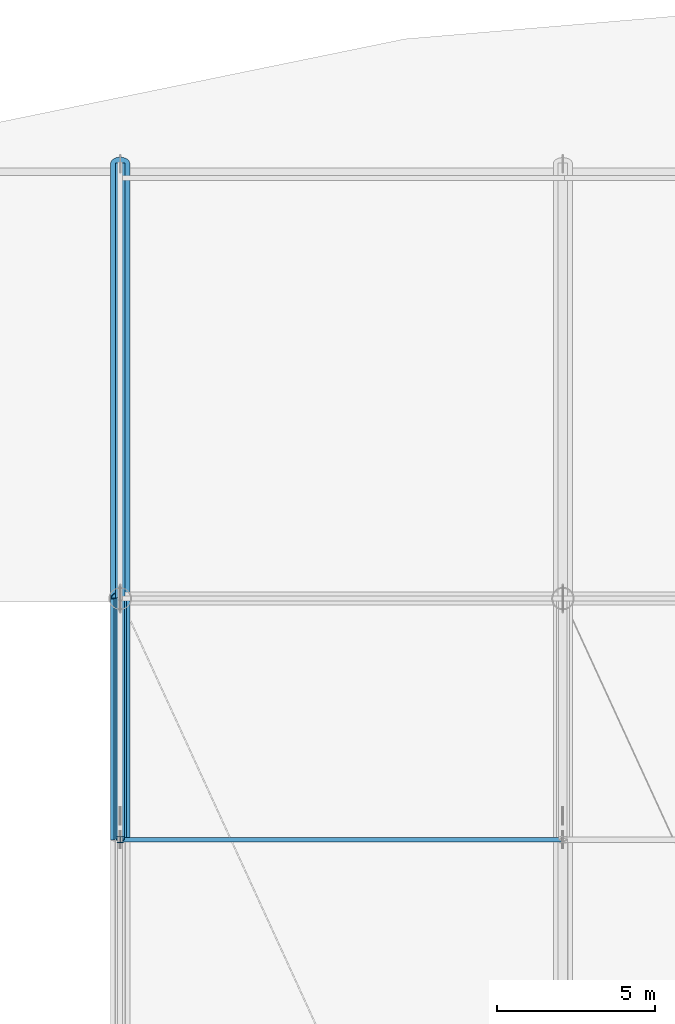
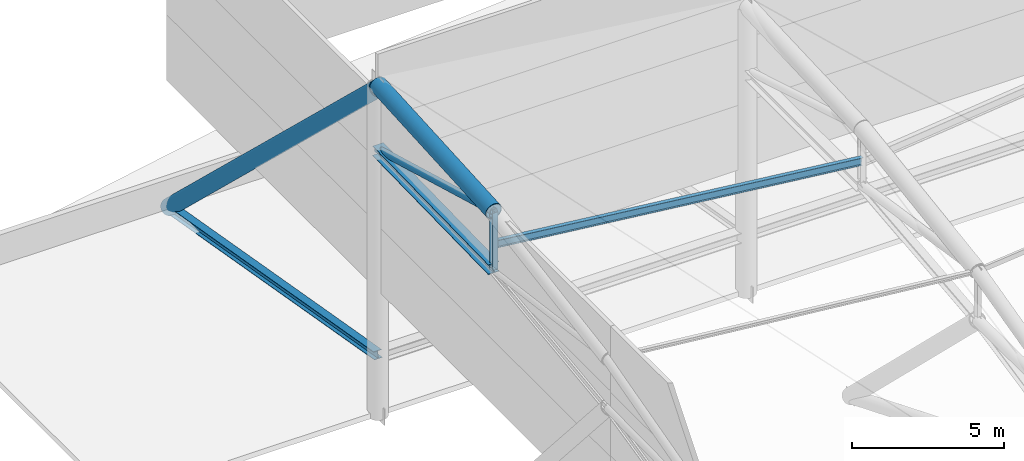
# One storey, part 58 of 113: 7 members.
"""IFC4 building model written with IfcOpenShell, lengths in metres."""

import ifcopenshell
import ifcopenshell.guid

model = None  # the IFC model being written
_history = None  # IfcOwnerHistory: only IFC2X3 demands one
_inside = {}  # id of a spatial element -> (the spatial element, [elements in it])
_under = {}  # id of a project, library or spatial element -> (it, [spatial elements below it])
_declared = {}  # id of a project -> (the project, [libraries it declares])
_typed = {}  # id of a type object -> (the type object, [elements of that type])
_made_of = {}  # id of a material, layer set ... -> (it, [elements and type objects made of it])


def new_model(schema):
    """Start an empty IFC model of exactly this schema.

    Asked for "IFC4X3", IfcOpenShell would pick the latest addendum, in which some entities
    have other attributes; the version numbers below select the first issue.
    IFC2X3 requires an IfcOwnerHistory on every rooted entity: one is made here for all.
    """
    global model, _history
    if schema == "IFC4X3":
        model = ifcopenshell.file(schema_version=(4, 3, 0, 0))
    else:
        model = ifcopenshell.file(schema=schema)
    _inside.clear()
    _under.clear()
    _declared.clear()
    _typed.clear()
    _made_of.clear()
    _history = None
    if model.schema == "IFC2X3":
        org = make("IfcOrganization", Name="unknown")
        user = make(
            "IfcPersonAndOrganization",
            ThePerson=make("IfcPerson", FamilyName="unknown"),
            TheOrganization=org,
        )
        app = make(
            "IfcApplication",
            ApplicationDeveloper=org,
            Version="unknown",
            ApplicationFullName="unknown",
            ApplicationIdentifier="unknown",
        )
        _history = make(
            "IfcOwnerHistory",
            OwningUser=user,
            OwningApplication=app,
            ChangeAction="ADDED",
            CreationDate=0,
        )
    return model


def make(cls, **values):
    """One entity of the class cls with the attributes given. An attribute that is None is left unset."""
    return model.create_entity(
        cls, **{name: value for name, value in values.items() if value is not None}
    )


def rooted(cls, **values):
    """An entity with a GlobalId (a new one), such as an element, a storey or a relation."""
    return make(cls, GlobalId=ifcopenshell.guid.new(), OwnerHistory=_history, **values)


def si_unit(unit_type, name, prefix=None):
    """IfcSIUnit, for example si_unit("LENGTHUNIT", "METRE", prefix="MILLI")."""
    return make("IfcSIUnit", UnitType=unit_type, Prefix=prefix, Name=name)


def assignment(units):
    """IfcUnitAssignment: the units of a project."""
    return None if units is None else make("IfcUnitAssignment", Units=units)


def point(xyz):
    """IfcCartesianPoint."""
    return None if xyz is None else make("IfcCartesianPoint", Coordinates=xyz)


def direction(xyz):
    """IfcDirection."""
    return None if xyz is None else make("IfcDirection", DirectionRatios=xyz)


def frame(location, z_axis=None, x_axis=None):
    """IfcAxis2Placement3D, a coordinate frame: its origin and axes. An axis left out is left unset."""
    return make(
        "IfcAxis2Placement3D",
        Location=point(location),
        Axis=direction(z_axis),
        RefDirection=direction(x_axis),
    )


def frame_2d(location, x_axis=None):
    """IfcAxis2Placement2D, a coordinate frame in the plane: its origin and x axis."""
    return make(
        "IfcAxis2Placement2D", Location=point(location), RefDirection=direction(x_axis)
    )


def origin():
    """The frame at (0, 0, 0) with its axes left unset."""
    return frame((0.0, 0.0, 0.0))


def origin_2d():
    """The frame at (0, 0) in the plane with its x axis left unset."""
    return frame_2d((0.0, 0.0))


def place(relative_to, where):
    """IfcLocalPlacement: puts the frame where relative to a parent placement (None: the world)."""
    return make(
        "IfcLocalPlacement", PlacementRelTo=relative_to, RelativePlacement=where
    )


def context(
    kind, dimensions, precision=None, world=None, true_north=None, identifier=None
):
    """IfcGeometricRepresentationContext, for example the 3D "Model" context."""
    return make(
        "IfcGeometricRepresentationContext",
        ContextIdentifier=identifier,
        ContextType=kind,
        CoordinateSpaceDimension=dimensions,
        Precision=precision,
        WorldCoordinateSystem=world,
        TrueNorth=true_north,
    )


def subcontext(parent, identifier, kind, view, scale=None):
    """IfcGeometricRepresentationSubContext, for example "Body" below "Model"."""
    return make(
        "IfcGeometricRepresentationSubContext",
        ContextIdentifier=identifier,
        ContextType=kind,
        ParentContext=parent,
        TargetScale=scale,
        TargetView=view,
    )


def project(units=None, contexts=None):
    """IfcProject with its units and contexts."""
    return rooted(
        "IfcProject",
        Name="project",
        RepresentationContexts=contexts,
        UnitsInContext=assignment(units),
    )


def spatial(cls, under=None, at=None, **own):
    """A site, building, storey or space (cls), placed at a placement, below another one or the project."""
    s = rooted(cls, ObjectPlacement=at, **own)
    if under is not None:
        _under.setdefault(under.id(), (under, []))[1].append(s)
    return s


def profile(cls, at=None, kind="AREA", **sizes):
    """A parametric profile (cls). Its sizes go by their IFC names, for example OverallWidth=200.0."""
    return make(cls, ProfileType=kind, Position=at, **sizes)


def hollow_circle(**sizes):
    """IfcCircleHollowProfileDef."""
    return profile("IfcCircleHollowProfileDef", **sizes)


def i_section(**sizes):
    """IfcIShapeProfileDef."""
    return profile("IfcIShapeProfileDef", **sizes)


def extrude(swept, where, along, depth):
    """IfcExtrudedAreaSolid: the profile swept, set in the frame where, extruded along a direction by depth."""
    return make(
        "IfcExtrudedAreaSolid",
        SweptArea=swept,
        Position=where,
        ExtrudedDirection=direction(along),
        Depth=depth,
    )


def shape(context_of_items, identifier, shape_type, items):
    """IfcShapeRepresentation: the items that make up one representation, for example the "Body"."""
    return make(
        "IfcShapeRepresentation",
        ContextOfItems=context_of_items,
        RepresentationIdentifier=identifier,
        RepresentationType=shape_type,
        Items=items,
    )


def material(Name=None, Category=None):
    """IfcMaterial."""
    return make("IfcMaterial", Name=Name, Category=Category)


def material_profile(
    of_material, cross_section, Name=None, Category=None, Priority=None
):
    """IfcMaterialProfile: a cross section and its material."""
    return make(
        "IfcMaterialProfile",
        Name=Name,
        Material=of_material,
        Profile=cross_section,
        Priority=Priority,
        Category=Category,
    )


def profile_set(profiles, Name=None, composite=None):
    """IfcMaterialProfileSet."""
    return make(
        "IfcMaterialProfileSet",
        Name=Name,
        MaterialProfiles=profiles,
        CompositeProfile=composite,
    )


def made_of(thing, what):
    """Note that an element or type object is made of a material, layer set ...; save() writes the relation."""
    if what is not None:
        _made_of.setdefault(what.id(), (what, []))[1].append(thing)
    return thing


def type_object(cls, material=None, **own):
    """A type object (cls), such as IfcWallType, which elements share."""
    return made_of(rooted(cls, **own), material)


def element(
    cls,
    number,
    at=None,
    inside=None,
    cuts=None,
    type_object=None,
    material=None,
    context=None,
    identifier="Body",
    shape_type=None,
    held_by="IfcProductDefinitionShape",
    body=None,
    shapes=None,
    **own,
):
    """One element of the class cls, such as IfcWall. Its Tag is "e" and its number.

    at: its placement. inside: the storey or other place that contains it. cuts: it is an
    opening in that element (IfcRelVoidsElement). A single representation is given by context,
    identifier, shape_type and body (its items); several are given by shapes. held_by: the class
    of the entity that holds the representations. save() writes the other relations.
    """
    e = rooted(cls, Tag="e%d" % number, ObjectPlacement=at, **own)
    if body is not None:
        shapes = [shape(context, identifier, shape_type, body)]
    if shapes is not None:
        e.Representation = make(held_by, Representations=shapes)
    if inside is not None:
        _inside.setdefault(inside.id(), (inside, []))[1].append(e)
    if cuts is not None:
        rooted(
            "IfcRelVoidsElement", RelatingBuildingElement=cuts, RelatedOpeningElement=e
        )
    if type_object is not None:
        _typed.setdefault(type_object.id(), (type_object, []))[1].append(e)
    return made_of(e, material)


def aggregate(whole, parts):
    """IfcRelAggregates: a whole, such as a stair, and the parts it consists of."""
    return rooted("IfcRelAggregates", RelatingObject=whole, RelatedObjects=parts)


def save(model, path):
    """Write the relations noted so far, then the file.

    IfcRelAggregates (storeys below a building ...), IfcRelContainedInSpatialStructure (elements
    in a storey), IfcRelDefinesByType, IfcRelAssociatesMaterial and IfcRelDeclares: one each for
    every whole, place, type object, material and project.
    """
    for whole, parts in _under.values():
        aggregate(whole, parts)
    for where, things in _inside.values():
        rooted(
            "IfcRelContainedInSpatialStructure",
            RelatedElements=things,
            RelatingStructure=where,
        )
    for kind, things in _typed.values():
        rooted("IfcRelDefinesByType", RelatedObjects=things, RelatingType=kind)
    for what, things in _made_of.values():
        rooted("IfcRelAssociatesMaterial", RelatedObjects=things, RelatingMaterial=what)
    for by, libraries in _declared.values():
        rooted("IfcRelDeclares", RelatingContext=by, RelatedDefinitions=libraries)
    model.write(path)


model = new_model("IFC4")

# Units and contexts
model_context = context("Model", 3, precision=1e-05, world=origin(), true_north=direction((0.0, 1.0)))
body_context = subcontext(model_context, "Body", "Model", "MODEL_VIEW")
ifc_project = project(units=[si_unit("LENGTHUNIT", "METRE"), si_unit("AREAUNIT", "SQUARE_METRE"), si_unit("VOLUMEUNIT", "CUBIC_METRE"), si_unit("PLANEANGLEUNIT", "RADIAN"), si_unit("MASSUNIT", "GRAM", prefix="KILO")], contexts=[model_context])

# Site, building, storey
site_placement = place(None, origin())
site = spatial("IfcSite", under=ifc_project, at=site_placement, CompositionType="ELEMENT")
building_placement = place(site_placement, origin())
building = spatial("IfcBuilding", under=site, at=building_placement, Name="Linyun Crest Stadium", CompositionType="ELEMENT")
storey_placement = place(building_placement, frame((0.0, 0.0, 26.39990234375)))
storey = spatial("IfcBuildingStorey", under=building, at=storey_placement, Name="L06", CompositionType="ELEMENT", Elevation=26.39990234375)

# Members
ifc_material_1 = material(Name="Steel Q355B", Category="steel")
ifc_material_profile_1 = material_profile(ifc_material_1, i_section(OverallWidth=0.14990234375, OverallDepth=0.300048828125, WebThickness=0.007080078125, FlangeThickness=0.009033203125, at=origin_2d()), Name="HN 300x150")
ifc_profile_set_1 = profile_set([ifc_material_profile_1], Name="Steel Q355B")
member_type_1 = type_object("IfcMemberType", Name="PR01", PredefinedType="PURLIN", material=ifc_profile_set_1)
member_1_placement = place(storey_placement, frame((-28.0, 83.875, 11.26611328125), z_axis=(0.993911393059, 0.0, -0.110182315947), x_axis=(0.0, 1.0, 0.0)))
element("IfcMember", 1, at=member_1_placement, inside=storey, type_object=member_type_1, Name="Roof canopy purlin PR01 V3 456", PredefinedType="PURLIN", context=body_context, shape_type="SweptSolid", body=[
    extrude(i_section(OverallWidth=0.14990234375, OverallDepth=0.300048828125, WebThickness=0.007080078125, FlangeThickness=0.009033203125, at=origin_2d()), origin(), (0.0, 0.0, 1.0), 14.085693359375),
])
ifc_material_2 = material(Name="Steel Q420C", Category="steel")
ifc_material_profile_2 = material_profile(ifc_material_2, hollow_circle(Radius=0.304931640625, WallThickness=0.030029296875, at=origin_2d()), Name="CHS 610x30")
ifc_profile_set_2 = profile_set([ifc_material_profile_2], Name="Steel Q420C")
member_type_2 = type_object("IfcMemberType", Name="TC02", PredefinedType="CHORD", material=ifc_profile_set_2)
member_2_placement = place(storey_placement, frame((-28.0, 91.5, 12.900146484375), z_axis=(0.0, 0.723618597883, -0.690200061429), x_axis=(-1.0, 0.0, 0.0)))
element("IfcMember", 2, at=member_2_placement, inside=storey, type_object=member_type_2, Name="Roof truss back-stay chord TC02 V3 361", PredefinedType="CHORD", context=body_context, shape_type="SweptSolid", body=[
    extrude(hollow_circle(Radius=0.304931640625, WallThickness=0.030029296875, at=origin_2d()), origin(), (0.0, 0.0, 1.0), 19.001708984375),
])
member_3_placement = place(storey_placement, frame((-28.0, 91.5, 13.050048828125), z_axis=(0.0, -0.998074401863, -0.062028125449), x_axis=(1.0, 0.0, 0.0)))
element("IfcMember", 3, at=member_3_placement, inside=storey, type_object=member_type_2, Name="Roof truss top chord TC02 V3 363", PredefinedType="CHORD", context=body_context, shape_type="SweptSolid", body=[
    extrude(hollow_circle(Radius=0.304931640625, WallThickness=0.030029296875, at=origin_2d()), origin(), (0.0, 0.0, 1.0), 7.6396484375),
])
ifc_material_3 = material(Name="Steel Q355C", Category="steel")
ifc_material_profile_3 = material_profile(ifc_material_3, i_section(OverallWidth=0.300048828125, OverallDepth=0.300048828125, WebThickness=0.010009765625, FlangeThickness=0.014892578125, at=origin_2d()), Name="HW 300x300")
ifc_profile_set_3 = profile_set([ifc_material_profile_3], Name="Steel Q355C")
member_type_3 = type_object("IfcMemberType", Name="TC03", PredefinedType="CHORD", material=ifc_profile_set_3)
member_4_placement = place(storey_placement, frame((-28.0, 91.5, 2.18505859375), z_axis=(0.0, 0.985107588667, -0.171939055337), x_axis=(-1.0, 0.0, 0.0)))
element("IfcMember", 4, at=member_4_placement, inside=storey, type_object=member_type_3, Name="Roof truss lower back-span chord TC03 V3 362", PredefinedType="CHORD", context=body_context, shape_type="SweptSolid", body=[
    extrude(i_section(OverallWidth=0.300048828125, OverallDepth=0.300048828125, WebThickness=0.010009765625, FlangeThickness=0.014892578125, at=origin_2d()), origin(), (0.0, 0.0, 1.0), 13.957763671875),
])
ifc_material_4 = material(Name="Steel Q420C", Category="steel")
ifc_material_profile_4 = material_profile(ifc_material_4, i_section(OverallWidth=0.407958984375, OverallDepth=0.39990234375, WebThickness=0.02099609375, FlangeThickness=0.02099609375, at=origin_2d()), Name="HW 400x408")
ifc_profile_set_4 = profile_set([ifc_material_profile_4], Name="Steel Q420C")
member_type_4 = type_object("IfcMemberType", Name="TC04", PredefinedType="CHORD", material=ifc_profile_set_4)
member_5_placement = place(storey_placement, frame((-28.0, 91.5, 10.4501953125), z_axis=(0.0, -0.999774077557, -0.021255442735), x_axis=(1.0, 0.0, 0.0)))
element("IfcMember", 5, at=member_5_placement, inside=storey, type_object=member_type_4, Name="Roof truss bottom chord TC04 V3 364", PredefinedType="CHORD", context=body_context, shape_type="SweptSolid", body=[
    extrude(i_section(OverallWidth=0.407958984375, OverallDepth=0.39990234375, WebThickness=0.02099609375, FlangeThickness=0.02099609375, at=origin_2d()), origin(), (0.0, 0.0, 1.0), 7.626708984375),
])
ifc_material_5 = material(Name="Steel Q355C", Category="steel")
ifc_material_profile_5 = material_profile(ifc_material_5, hollow_circle(Radius=0.136474609375, WallThickness=0.013916015625, at=origin_2d()), Name="CHS 273x14")
ifc_profile_set_5 = profile_set([ifc_material_profile_5], Name="Steel Q355C")
member_type_5 = type_object("IfcMemberType", Name="TD01", PredefinedType="BRACE", material=ifc_profile_set_5)
member_6_placement = place(storey_placement, frame((-28.0, 91.5, 10.4501953125), z_axis=(0.0, -0.963259413562, 0.268572713028), x_axis=(1.0, 0.0, 0.0)))
element("IfcMember", 6, at=member_6_placement, inside=storey, type_object=member_type_5, Name="Roof truss diagonal TD01 V3 365", PredefinedType="BRACE", context=body_context, shape_type="SweptSolid", body=[
    extrude(hollow_circle(Radius=0.136474609375, WallThickness=0.013916015625, at=origin_2d()), origin(), (0.0, 0.0, 1.0), 7.915771484375),
])
ifc_material_6 = material(Name="Steel Q355C", Category="steel")
ifc_material_profile_6 = material_profile(ifc_material_6, i_section(OverallWidth=0.199951171875, OverallDepth=0.199951171875, WebThickness=0.008056640625, FlangeThickness=0.011962890625, at=origin_2d()), Name="HW 200x200")
ifc_profile_set_6 = profile_set([ifc_material_profile_6], Name="Steel Q355C")
member_type_6 = type_object("IfcMemberType", Name="TV02", PredefinedType="STRUT", material=ifc_profile_set_6)
member_7_placement = place(storey_placement, frame((-28.0, 83.875, 10.2880859375), z_axis=(0.0, 0.0, 1.0), x_axis=(1.0, 0.0, 0.0)))
element("IfcMember", 7, at=member_7_placement, inside=storey, type_object=member_type_6, Name="Roof vertical strut TV02 V3 369", PredefinedType="STRUT", context=body_context, shape_type="SweptSolid", body=[
    extrude(i_section(OverallWidth=0.199951171875, OverallDepth=0.199951171875, WebThickness=0.008056640625, FlangeThickness=0.011962890625, at=origin_2d()), origin(), (0.0, 0.0, 1.0), 2.2880859375),
])

save(model, "model.ifc")
